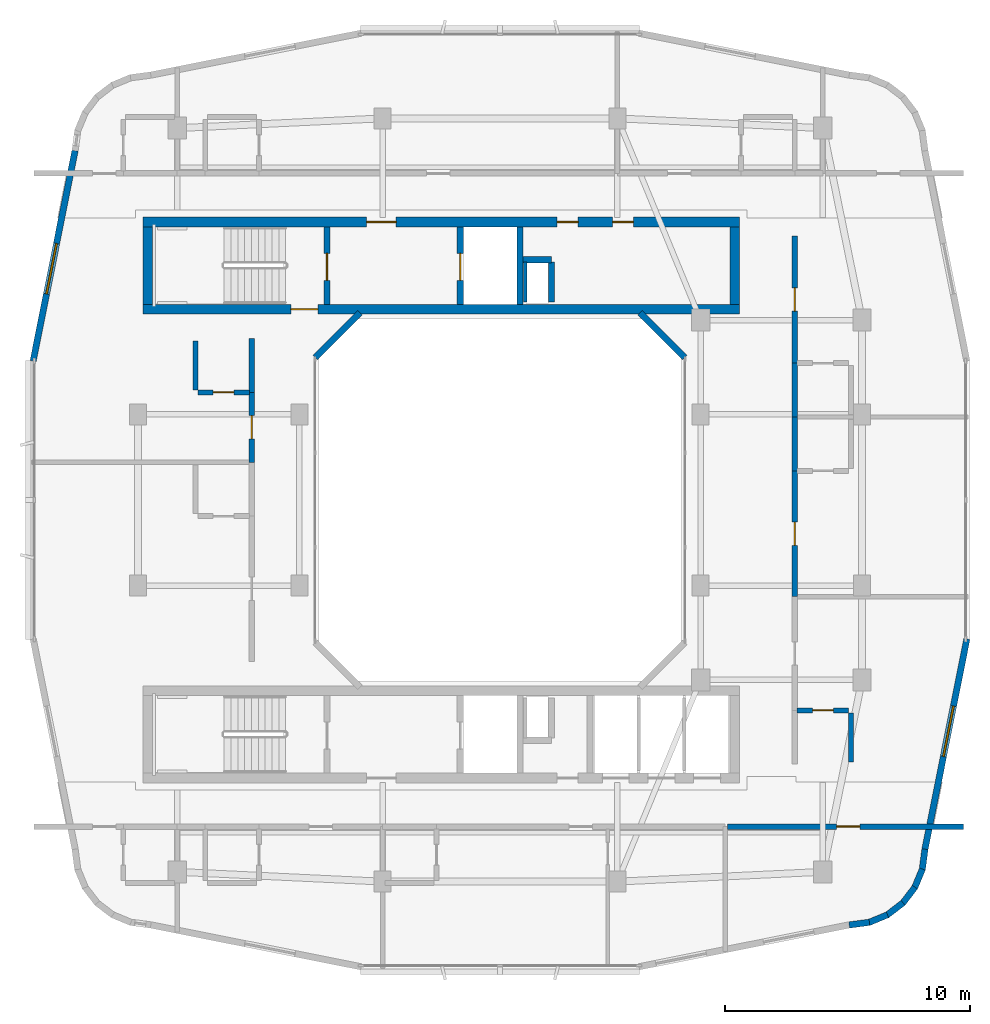
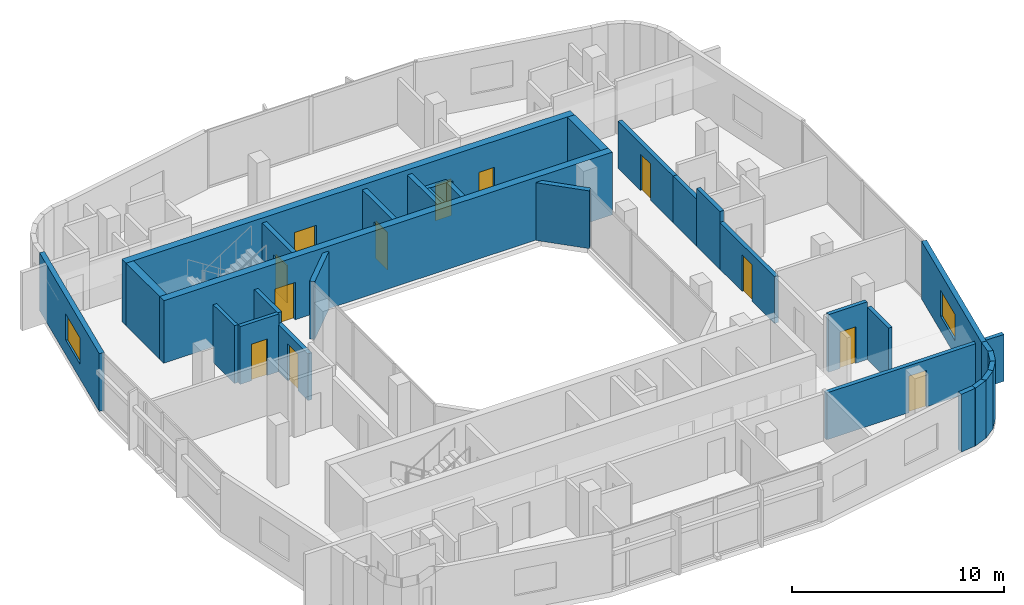
# One storey, part 8 of 14: 31 walls, 12 doors, 2 windows, 14 openings.
"""IFC4 building model written with IfcOpenShell, lengths in metres."""

from ifc_helpers import new_model, si_unit, derived_unit, direction, frame, frame_2d, origin, place, context, subcontext, project, spatial, rectangle, extrude, material, layer, layer_set, type_object, element, fill, save


model = new_model("IFC4")

# Units and contexts
model_context = context("Model", 3, precision=1e-05, world=origin(), true_north=direction((0.0, 1.0)))
body_context = subcontext(model_context, "Body", "Model", "MODEL_VIEW")
ifc_project = project(units=[si_unit("LENGTHUNIT", "METRE"), si_unit("AREAUNIT", "SQUARE_METRE"), si_unit("VOLUMEUNIT", "CUBIC_METRE"), si_unit("PLANEANGLEUNIT", "RADIAN"), si_unit("MASSUNIT", "GRAM", prefix="KILO"), derived_unit("THERMALTRANSMITTANCEUNIT", [(si_unit("POWERUNIT", "WATT"), 1), (si_unit("LENGTHUNIT", "METRE"), -2), (si_unit("THERMODYNAMICTEMPERATUREUNIT", "KELVIN"), -1)])], contexts=[model_context])

# Site, building, storey
site_placement = place(None, origin())
site = spatial("IfcSite", under=ifc_project, at=site_placement, CompositionType="ELEMENT")
building_placement = place(site_placement, origin())
building = spatial("IfcBuilding", under=site, at=building_placement, Name="Kivonza Crest Hotel", CompositionType="ELEMENT")
storey_placement = place(building_placement, frame((0.0, 0.0, 206.300048828125)))
storey = spatial("IfcBuildingStorey", under=building, at=storey_placement, Name="L56", CompositionType="ELEMENT", Elevation=206.300048828125)

# Wall, opening, door
ifc_material_1 = material(Name="Autoclaved aerated concrete blockwork", Category="masonry")
ifc_layer_1 = layer(ifc_material_1, 0.219970703125)
ifc_layer_set_1 = layer_set([ifc_layer_1], Name="Autoclaved aerated concrete blockwork")
wall_type_1 = type_object("IfcWallType", Name="WL-ACOU-220", PredefinedType="SOLIDWALL", material=ifc_layer_set_1)
wall_1_placement = place(storey_placement, frame((30.300048828125, 11.64990234375, 0.0), z_axis=(0.0, 0.0, 1.0), x_axis=(1.0, 0.0, 0.0)))
wall_1 = element("IfcWall", 1, at=wall_1_placement, inside=storey, type_object=wall_type_1, Name="L56 interior partition WA-L56-BUS-MTG-N", PredefinedType="SOLIDWALL", context=body_context, shape_type="SweptSolid", body=[
    extrude(rectangle(XDim=9.639892578125, YDim=0.219970703125, at=frame_2d((4.81982421875, 0.0))), origin(), (0.0, 0.0, 1.0), 2.695068359375),
])
opening_1_placement = place(wall_1_placement, frame((4.4609375, 0.0, 0.0)))
opening_1 = element("IfcOpeningElement", 2, at=opening_1_placement, cuts=wall_1, Name="Opening DF-60S", PredefinedType="OPENING", context=body_context, shape_type="SweptSolid", body=[
    extrude(rectangle(XDim=0.949951171875, YDim=2.10009765625, at=frame_2d((0.47509765625, 1.050048828125))), frame((0.0, 0.1201171875, 0.0), z_axis=(0.0, -1.0, 0.0), x_axis=(1.0, 0.0, 0.0)), (0.0, 0.0, 1.0), 0.239990234375),
])
ifc_material_2 = material(Name="Hardwood timber oak", Category="wood")
door_type_1 = type_object("IfcDoorType", Name="DR-FD60-950", OperationType="NOTDEFINED", PredefinedType="DOOR", material=ifc_material_2)
door_1_placement = place(opening_1_placement, frame((0.949951171875, 0.0, 0.0), z_axis=(0.0, 0.0, 1.0), x_axis=(-1.0, 0.0, 0.0)))
door_1 = element("IfcDoor", 3, at=door_1_placement, inside=storey, type_object=door_type_1, Name="L56 Residents Reading Room door", OperationType="SINGLE_SWING_RIGHT", OverallHeight=2.10009765625, OverallWidth=0.949951171875, PredefinedType="DOOR", context=body_context, shape_type="SweptSolid", body=[
    extrude(rectangle(XDim=0.949951171875, YDim=2.10009765625, at=frame_2d((0.47509765625, 1.050048828125))), frame((0.0, 0.02490234375, 0.0), z_axis=(0.0, -1.0, 0.0), x_axis=(1.0, 0.0, 0.0)), (0.0, 0.0, 1.0), 0.050048828125),
])
fill(opening_1, door_1)

# Wall
wall_2_placement = place(storey_placement, frame((10.85009765625, 29.39990234375, 0.0), z_axis=(0.0, 0.0, 1.0), x_axis=(0.0, 1.0, 0.0)))
element("IfcWall", 4, at=wall_2_placement, inside=storey, type_object=wall_type_1, Name="L56 interior partition WA-L56-W08-BCORR", PredefinedType="SOLIDWALL", context=body_context, shape_type="SweptSolid", body=[
    extrude(rectangle(XDim=2.2001953125, YDim=0.219970703125, at=frame_2d((1.10009765625, 0.0))), origin(), (0.0, 0.0, 1.0), 3.320068359375),
])

# Wall, opening, door
wall_3_placement = place(storey_placement, frame((10.85009765625, 26.5400390625, 0.0), z_axis=(0.0, 0.0, 1.0), x_axis=(0.0, 1.0, 0.0)))
wall_3 = element("IfcWall", 5, at=wall_3_placement, inside=storey, type_object=wall_type_1, Name="L56 interior partition WA-L56-W08-MCORR", PredefinedType="SOLIDWALL", context=body_context, shape_type="SweptSolid", body=[
    extrude(rectangle(XDim=2.85986328125, YDim=0.219970703125, at=frame_2d((1.429931640625, 0.0))), origin(), (0.0, 0.0, 1.0), 2.695068359375),
])
opening_2_placement = place(wall_3_placement, frame((0.955078125, 0.0, 0.0)))
opening_2 = element("IfcOpeningElement", 6, at=opening_2_placement, cuts=wall_3, Name="Opening DU-60", PredefinedType="OPENING", context=body_context, shape_type="SweptSolid", body=[
    extrude(rectangle(XDim=0.949951171875, YDim=2.10009765625, at=frame_2d((0.47509765625, 1.050048828125))), frame((0.0, 0.1201171875, 0.0), z_axis=(0.0, -1.0, 0.0), x_axis=(1.0, 0.0, 0.0)), (0.0, 0.0, 1.0), 0.239990234375),
])
door_type_2 = type_object("IfcDoorType", Name="DR-UNIT-950", OperationType="NOTDEFINED", PredefinedType="DOOR", material=ifc_material_2)
door_2_placement = place(opening_2_placement, origin())
door_2 = element("IfcDoor", 7, at=door_2_placement, inside=storey, type_object=door_type_2, Name="L56 W08 guest unit entrance fire door", OperationType="SINGLE_SWING_RIGHT", OverallHeight=2.10009765625, OverallWidth=0.949951171875, PredefinedType="DOOR", context=body_context, shape_type="SweptSolid", body=[
    extrude(rectangle(XDim=0.949951171875, YDim=2.10009765625, at=frame_2d((0.47509765625, 1.050048828125))), frame((0.0, 0.02490234375, 0.0), z_axis=(0.0, -1.0, 0.0), x_axis=(1.0, 0.0, 0.0)), (0.0, 0.0, 1.0), 0.050048828125),
])
fill(opening_2, door_2)

# Wall
wall_4_placement = place(storey_placement, frame((33.050048828125, 26.193115234375, 0.0), z_axis=(0.0, 0.0, 1.0), x_axis=(0.0, 1.0, 0.0)))
element("IfcWall", 8, at=wall_4_placement, inside=storey, type_object=wall_type_1, Name="L56 interior partition WA-L56-E10-BCORR", PredefinedType="SOLIDWALL", context=body_context, shape_type="SweptSolid", body=[
    extrude(rectangle(XDim=2.199951171875, YDim=0.219970703125, at=frame_2d((1.10009765625, 0.0))), origin(), (0.0, 0.0, 1.0), 3.320068359375),
])

# Wall, opening, door
wall_5_placement = place(storey_placement, frame((33.050048828125, 21.049072265625, 0.0), z_axis=(0.0, 0.0, 1.0), x_axis=(0.0, 1.0, 0.0)))
wall_5 = element("IfcWall", 9, at=wall_5_placement, inside=storey, type_object=wall_type_1, Name="L56 interior partition WA-L56-E10-MCORR", PredefinedType="SOLIDWALL", context=body_context, shape_type="SweptSolid", body=[
    extrude(rectangle(XDim=5.14404296875, YDim=0.219970703125, at=frame_2d((2.572021484375, 0.0))), origin(), (0.0, 0.0, 1.0), 2.695068359375),
])
opening_3_placement = place(wall_5_placement, frame((2.096923828125, 0.0, 0.0)))
opening_3 = element("IfcOpeningElement", 10, at=opening_3_placement, cuts=wall_5, Name="Opening DU-60", PredefinedType="OPENING", context=body_context, shape_type="SweptSolid", body=[
    extrude(rectangle(XDim=0.949951171875, YDim=2.10009765625, at=frame_2d((0.47509765625, 1.050048828125))), frame((0.0, 0.1201171875, 0.0), z_axis=(0.0, -1.0, 0.0), x_axis=(1.0, 0.0, 0.0)), (0.0, 0.0, 1.0), 0.239990234375),
])
door_3_placement = place(opening_3_placement, frame((0.949951171875, 0.0, 0.0), z_axis=(0.0, 0.0, 1.0), x_axis=(-1.0, 0.0, 0.0)))
door_3 = element("IfcDoor", 11, at=door_3_placement, inside=storey, type_object=door_type_2, Name="L56 E10 guest unit entrance fire door", OperationType="SINGLE_SWING_RIGHT", OverallHeight=2.10009765625, OverallWidth=0.949951171875, PredefinedType="DOOR", context=body_context, shape_type="SweptSolid", body=[
    extrude(rectangle(XDim=0.949951171875, YDim=2.10009765625, at=frame_2d((0.47509765625, 1.050048828125))), frame((0.0, 0.02490234375, 0.0), z_axis=(0.0, -1.0, 0.0), x_axis=(1.0, 0.0, 0.0)), (0.0, 0.0, 1.0), 0.050048828125),
])
fill(opening_3, door_3)

# Wall
wall_6_placement = place(storey_placement, frame((33.050048828125, 28.39306640625, 0.0), z_axis=(0.0, 0.0, 1.0), x_axis=(0.0, 1.0, 0.0)))
element("IfcWall", 12, at=wall_6_placement, inside=storey, type_object=wall_type_1, Name="L56 interior partition WA-L56-E11-BCORR", PredefinedType="SOLIDWALL", context=body_context, shape_type="SweptSolid", body=[
    extrude(rectangle(XDim=2.199951171875, YDim=0.219970703125, at=frame_2d((1.10009765625, 0.0))), origin(), (0.0, 0.0, 1.0), 2.695068359375),
])

# Wall, opening, door
wall_7_placement = place(storey_placement, frame((33.050048828125, 30.593017578125, 0.0), z_axis=(0.0, 0.0, 1.0), x_axis=(0.0, 1.0, 0.0)))
wall_7 = element("IfcWall", 13, at=wall_7_placement, inside=storey, type_object=wall_type_1, Name="L56 interior partition WA-L56-E11-MCORR", PredefinedType="SOLIDWALL", context=body_context, shape_type="SweptSolid", body=[
    extrude(rectangle(XDim=5.20703125, YDim=0.219970703125, at=frame_2d((2.603515625, 0.0))), origin(), (0.0, 0.0, 1.0), 2.695068359375),
])
opening_4_placement = place(wall_7_placement, frame((2.1279296875, 0.0, 0.0)))
opening_4 = element("IfcOpeningElement", 14, at=opening_4_placement, cuts=wall_7, Name="Opening DU-60", PredefinedType="OPENING", context=body_context, shape_type="SweptSolid", body=[
    extrude(rectangle(XDim=0.949951171875, YDim=2.10009765625, at=frame_2d((0.47509765625, 1.050048828125))), frame((0.0, 0.1201171875, 0.0), z_axis=(0.0, -1.0, 0.0), x_axis=(1.0, 0.0, 0.0)), (0.0, 0.0, 1.0), 0.239990234375),
])
door_4_placement = place(opening_4_placement, frame((0.949951171875, 0.0, 0.0), z_axis=(0.0, 0.0, 1.0), x_axis=(-1.0, 0.0, 0.0)))
door_4 = element("IfcDoor", 15, at=door_4_placement, inside=storey, type_object=door_type_2, Name="L56 E11 guest unit entrance fire door", OperationType="SINGLE_SWING_LEFT", OverallHeight=2.10009765625, OverallWidth=0.949951171875, PredefinedType="DOOR", context=body_context, shape_type="SweptSolid", body=[
    extrude(rectangle(XDim=0.949951171875, YDim=2.10009765625, at=frame_2d((0.47509765625, 1.050048828125))), frame((0.0, 0.02490234375, 0.0), z_axis=(0.0, -1.0, 0.0), x_axis=(1.0, 0.0, 0.0)), (0.0, 0.0, 1.0), 0.050048828125),
])
fill(opening_4, door_4)

ifc_material_3 = material(Name="Concrete C50/60", Category="concrete")
ifc_layer_2 = layer(ifc_material_3, 0.39990234375)
ifc_layer_set_2 = layer_set([ifc_layer_2], Name="Concrete C50/60")
wall_type_2 = type_object("IfcWallType", Name="WL-CORE-400", PredefinedType="SHEAR", material=ifc_layer_set_2)
wall_8_placement = place(storey_placement, frame((6.39990234375, 32.800048828125, 0.0), z_axis=(0.0, 0.0, 1.0), x_axis=(1.0, 0.0, 0.0)))
wall_8 = element("IfcWall", 16, at=wall_8_placement, inside=storey, type_object=wall_type_2, Name="Core wall T1-N South L56", PredefinedType="SHEAR", context=body_context, shape_type="SweptSolid", body=[
    extrude(rectangle(XDim=24.400146484375, YDim=0.39990234375, at=frame_2d((12.2001953125, 0.0))), origin(), (0.0, 0.0, 1.0), 3.599853515625),
])
opening_5_placement = place(wall_8_placement, frame((6.050048828125, 0.0, 0.0)))
opening_5 = element("IfcOpeningElement", 17, at=opening_5_placement, cuts=wall_8, Name="Opening DF-120", PredefinedType="OPENING", context=body_context, shape_type="SweptSolid", body=[
    extrude(rectangle(XDim=1.10009765625, YDim=2.14990234375, at=frame_2d((0.550048828125, 1.074951171875))), frame((0.0, 0.2099609375, 0.0), z_axis=(0.0, -1.0, 0.0), x_axis=(1.0, 0.0, 0.0)), (0.0, 0.0, 1.0), 0.419921875),
])
ifc_material_4 = material(Name="Galvanised steel", Category="steel")
door_type_3 = type_object("IfcDoorType", Name="DR-FD120-1100", OperationType="NOTDEFINED", PredefinedType="DOOR", material=ifc_material_4)
door_5_placement = place(opening_5_placement, origin())
door_5 = element("IfcDoor", 18, at=door_5_placement, inside=storey, type_object=door_type_3, Name="L56 West corridor stair access fire door", OperationType="SINGLE_SWING_LEFT", OverallHeight=2.14990234375, OverallWidth=1.10009765625, PredefinedType="DOOR", context=body_context, shape_type="SweptSolid", body=[
    extrude(rectangle(XDim=1.10009765625, YDim=2.14990234375, at=frame_2d((0.550048828125, 1.074951171875))), frame((0.0, 0.02490234375, 0.0), z_axis=(0.0, -1.0, 0.0), x_axis=(1.0, 0.0, 0.0)), (0.0, 0.0, 1.0), 0.050048828125),
])
fill(opening_5, door_5)

# Wall, openings, doors
wall_9_placement = place(storey_placement, frame((6.39990234375, 36.360107421875, 0.0), z_axis=(0.0, 0.0, 1.0), x_axis=(1.0, 0.0, 0.0)))
wall_9 = element("IfcWall", 19, at=wall_9_placement, inside=storey, type_object=wall_type_2, Name="Core wall T1-N North L56", PredefinedType="SHEAR", context=body_context, shape_type="SweptSolid", body=[
    extrude(rectangle(XDim=24.400146484375, YDim=0.39990234375, at=frame_2d((12.2001953125, 0.0))), origin(), (0.0, 0.0, 1.0), 3.599853515625),
])
opening_6_placement = place(wall_9_placement, frame((9.14990234375, 0.0, 0.0)))
opening_6 = element("IfcOpeningElement", 20, at=opening_6_placement, cuts=wall_9, Name="Opening DF-60", PredefinedType="OPENING", context=body_context, shape_type="SweptSolid", body=[
    extrude(rectangle(XDim=1.199951171875, YDim=2.14990234375, at=frame_2d((0.60009765625, 1.074951171875))), frame((0.0, 0.2099609375, 0.0), z_axis=(0.0, -1.0, 0.0), x_axis=(1.0, 0.0, 0.0)), (0.0, 0.0, 1.0), 0.419921875),
])
opening_7_placement = place(wall_9_placement, frame((19.199951171875, 0.0, 0.0)))
opening_7 = element("IfcOpeningElement", 21, at=opening_7_placement, cuts=wall_9, Name="Opening DF-60R", PredefinedType="OPENING", context=body_context, shape_type="SweptSolid", body=[
    extrude(rectangle(XDim=0.85009765625, YDim=2.10009765625, at=frame_2d((0.425048828125, 1.050048828125))), frame((0.0, 0.2099609375, 0.0), z_axis=(0.0, -1.0, 0.0), x_axis=(1.0, 0.0, 0.0)), (0.0, 0.0, 1.0), 0.419921875),
])
opening_8_placement = place(wall_9_placement, frame((16.93994140625, 0.0, 0.0)))
opening_8 = element("IfcOpeningElement", 22, at=opening_8_placement, cuts=wall_9, Name="Opening DF-60R", PredefinedType="OPENING", context=body_context, shape_type="SweptSolid", body=[
    extrude(rectangle(XDim=0.85009765625, YDim=2.10009765625, at=frame_2d((0.425048828125, 1.050048828125))), frame((0.0, 0.2099609375, 0.0), z_axis=(0.0, -1.0, 0.0), x_axis=(1.0, 0.0, 0.0)), (0.0, 0.0, 1.0), 0.419921875),
])
door_type_4 = type_object("IfcDoorType", Name="DR-FD60-1200", OperationType="NOTDEFINED", PredefinedType="DOOR", material=ifc_material_2)
door_6_placement = place(opening_6_placement, origin())
door_6 = element("IfcDoor", 23, at=door_6_placement, inside=storey, type_object=door_type_4, Name="L56 T1-N firefighting lobby fire door", OperationType="SINGLE_SWING_RIGHT", OverallHeight=2.14990234375, OverallWidth=1.199951171875, PredefinedType="DOOR", context=body_context, shape_type="SweptSolid", body=[
    extrude(rectangle(XDim=1.199951171875, YDim=2.14990234375, at=frame_2d((0.60009765625, 1.074951171875))), frame((0.0, 0.02490234375, 0.0), z_axis=(0.0, -1.0, 0.0), x_axis=(1.0, 0.0, 0.0)), (0.0, 0.0, 1.0), 0.050048828125),
])
fill(opening_6, door_6)
door_type_5 = type_object("IfcDoorType", Name="DR-FD60-850", OperationType="NOTDEFINED", PredefinedType="DOOR", material=ifc_material_2)
door_7_placement = place(opening_7_placement, origin())
door_7 = element("IfcDoor", 24, at=door_7_placement, inside=storey, type_object=door_type_5, Name="L56 T1-N reclaimed core service door", OperationType="SINGLE_SWING_LEFT", OverallHeight=2.10009765625, OverallWidth=0.85009765625, PredefinedType="DOOR", context=body_context, shape_type="SweptSolid", body=[
    extrude(rectangle(XDim=0.85009765625, YDim=2.10009765625, at=frame_2d((0.425048828125, 1.050048828125))), frame((0.0, 0.02490234375, 0.0), z_axis=(0.0, -1.0, 0.0), x_axis=(1.0, 0.0, 0.0)), (0.0, 0.0, 1.0), 0.050048828125),
])
fill(opening_7, door_7)
door_8_placement = place(opening_8_placement, origin())
door_8 = element("IfcDoor", 25, at=door_8_placement, inside=storey, type_object=door_type_5, Name="L56 T1-N core room door", OperationType="SINGLE_SWING_RIGHT", OverallHeight=2.10009765625, OverallWidth=0.85009765625, PredefinedType="DOOR", context=body_context, shape_type="SweptSolid", body=[
    extrude(rectangle(XDim=0.85009765625, YDim=2.10009765625, at=frame_2d((0.425048828125, 1.050048828125))), frame((0.0, 0.02490234375, 0.0), z_axis=(0.0, -1.0, 0.0), x_axis=(1.0, 0.0, 0.0)), (0.0, 0.0, 1.0), 0.050048828125),
])
fill(opening_8, door_8)

# Walls
for number, where, z_axis, x_axis, name in (
    (26, (6.60009765625, 33.0, 0.0), (0.0, 0.0, 1.0), (0.0, 1.0, 0.0), "Core wall T1-N West L56"),
    (27, (30.60009765625, 33.0, 0.0), (0.0, 0.0, 1.0), (0.0, 1.0, 0.0), "Core wall T1-N East L56"),
):
    element("IfcWall", number, at=place(storey_placement, frame(where, z_axis=z_axis, x_axis=x_axis)), inside=storey, type_object=wall_type_2, Name=name, PredefinedType="SHEAR", context=body_context, shape_type="SweptSolid", body=[
        extrude(rectangle(XDim=3.159912109375, YDim=0.39990234375, at=frame_2d((1.580078125, 0.0))), origin(), (0.0, 0.0, 1.0), 3.599853515625),
    ])
ifc_material_5 = material(Name="Precast concrete C40/50", Category="concrete")
ifc_layer_3 = layer(ifc_material_5, 0.260009765625)
ifc_layer_set_3 = layer_set([ifc_layer_3], Name="Precast concrete C40/50")
wall_type_3 = type_object("IfcWallType", Name="WL-EXT-260", PredefinedType="STANDARD", material=ifc_layer_set_3)
wall_10_placement = place(storey_placement, frame((35.27490234375, 7.6279296875, 0.0), z_axis=(0.0, 0.0, 1.0), x_axis=(0.9913883573, 0.130954667764, 0.0)))
element("IfcWall", 28, at=wall_10_placement, inside=storey, type_object=wall_type_3, Name="L56 T1 exterior insulated wall 10", PredefinedType="STANDARD", context=body_context, shape_type="SweptSolid", body=[
    extrude(rectangle(XDim=0.833251953125, YDim=0.260009765625, at=frame_2d((0.41650390625, 0.0))), origin(), (0.0, 0.0, 1.0), 3.320068359375),
])
wall_11_placement = place(storey_placement, frame((36.054931640625, 7.718994140625, 0.0), z_axis=(0.0, 0.0, 1.0), x_axis=(0.923754491172, 0.382985169477, 0.0)))
element("IfcWall", 29, at=wall_11_placement, inside=storey, type_object=wall_type_3, Name="L56 T1 exterior insulated wall 11", PredefinedType="STANDARD", context=body_context, shape_type="SweptSolid", body=[
    extrude(rectangle(XDim=0.85107421875, YDim=0.260009765625, at=frame_2d((0.425537109375, 0.0))), origin(), (0.0, 0.0, 1.0), 3.320068359375),
])
for number, where, z_axis, x_axis, name in (
    (30, (36.801025390625, 8.01708984375, 0.0), (0.0, 0.0, 1.0), (0.793999057278, 0.607918988881, 0.0), "L56 T1 exterior insulated wall 12"),
    (31, (37.445068359375, 8.49609375, 0.0), (0.0, 0.0, 1.0), (0.608057619941, 0.793892896323, 0.0), "L56 T1 exterior insulated wall 13"),
):
    element("IfcWall", number, at=place(storey_placement, frame(where, z_axis=z_axis, x_axis=x_axis)), inside=storey, type_object=wall_type_3, Name=name, PredefinedType="STANDARD", context=body_context, shape_type="SweptSolid", body=[
        extrude(rectangle(XDim=0.85009765625, YDim=0.260009765625, at=frame_2d((0.425048828125, 0.0))), origin(), (0.0, 0.0, 1.0), 3.320068359375),
    ])
wall_12_placement = place(storey_placement, frame((37.94091796875, 9.126953125, 0.0), z_axis=(0.0, 0.0, 1.0), x_axis=(0.383229930484, 0.923652976167, 0.0)))
element("IfcWall", 32, at=wall_12_placement, inside=storey, type_object=wall_type_3, Name="L56 T1 exterior insulated wall 14", PredefinedType="STANDARD", context=body_context, shape_type="SweptSolid", body=[
    extrude(rectangle(XDim=0.85107421875, YDim=0.260009765625, at=frame_2d((0.425537109375, 0.0))), origin(), (0.0, 0.0, 1.0), 3.320068359375),
])
wall_13_placement = place(storey_placement, frame((38.259033203125, 9.864013671875, 0.0), z_axis=(0.0, 0.0, 1.0), x_axis=(0.130156359936, 0.991493480548, 0.0)))
element("IfcWall", 33, at=wall_13_placement, inside=storey, type_object=wall_type_3, Name="L56 T1 exterior insulated wall 15", PredefinedType="STANDARD", context=body_context, shape_type="SweptSolid", body=[
    extrude(rectangle(XDim=0.868408203125, YDim=0.260009765625, at=frame_2d((0.43408203125, 0.0))), origin(), (0.0, 0.0, 1.0), 3.320068359375),
])

# Wall, opening, window
wall_14_placement = place(storey_placement, frame((38.37109375, 10.717041015625, 0.0), z_axis=(0.0, 0.0, 1.0), x_axis=(0.195291715883, 0.980745199176, 0.0)))
wall_14 = element("IfcWall", 34, at=wall_14_placement, inside=storey, type_object=wall_type_3, Name="L56 T1 exterior insulated wall 16", PredefinedType="STANDARD", context=body_context, shape_type="SweptSolid", body=[
    extrude(rectangle(XDim=8.77099609375, YDim=0.260009765625, at=frame_2d((4.385498046875, 0.0))), origin(), (0.0, 0.0, 1.0), 3.320068359375),
])
opening_9_placement = place(wall_14_placement, frame((3.873046875, 0.0, 0.85009765625)))
opening_9 = element("IfcOpeningElement", 35, at=opening_9_placement, cuts=wall_14, Name="Opening WN-04", PredefinedType="OPENING", context=body_context, shape_type="SweptSolid", body=[
    extrude(rectangle(XDim=2.10009765625, YDim=1.5, at=frame_2d((1.050048828125, 0.75))), frame((0.0, 0.14013671875, 0.0), z_axis=(0.0, -1.0, 0.0), x_axis=(1.0, 0.0, 0.0)), (0.0, 0.0, 1.0), 0.280029296875),
])
ifc_material_6 = material(Name="Thermally broken bronze aluminium and low-E double glazing", Category="aluminium")
window_type = type_object("IfcWindowType", Name="WN-210x150", PartitioningType="DOUBLE_PANEL_VERTICAL", PredefinedType="WINDOW", material=ifc_material_6)
window_1_placement = place(opening_9_placement, origin())
window_1 = element("IfcWindow", 36, at=window_1_placement, inside=storey, type_object=window_type, Name="L56 T1 facade window 16", OverallHeight=1.5, OverallWidth=2.10009765625, PartitioningType="SINGLE_PANEL", PredefinedType="WINDOW", context=body_context, shape_type="SweptSolid", body=[
    extrude(rectangle(XDim=2.10009765625, YDim=1.5, at=frame_2d((1.050048828125, 0.75))), frame((0.0, 0.030029296875, 0.0), z_axis=(0.0, -1.0, 0.0), x_axis=(1.0, 0.0, 0.0)), (0.0, 0.0, 1.0), 0.06005859375),
])
fill(opening_9, window_1)

wall_15_placement = place(storey_placement, frame((3.62890625, 39.282958984375, 0.0), z_axis=(0.0, 0.0, 1.0), x_axis=(-0.195291715883, -0.980745199176, 0.0)))
wall_15 = element("IfcWall", 37, at=wall_15_placement, inside=storey, type_object=wall_type_3, Name="L56 T1 exterior insulated wall 34", PredefinedType="STANDARD", context=body_context, shape_type="SweptSolid", body=[
    extrude(rectangle(XDim=8.77099609375, YDim=0.260009765625, at=frame_2d((4.385498046875, 0.0))), origin(), (0.0, 0.0, 1.0), 3.320068359375),
])
opening_10_placement = place(wall_15_placement, frame((3.873046875, 0.0, 0.85009765625)))
opening_10 = element("IfcOpeningElement", 38, at=opening_10_placement, cuts=wall_15, Name="Opening WN-04", PredefinedType="OPENING", context=body_context, shape_type="SweptSolid", body=[
    extrude(rectangle(XDim=2.10009765625, YDim=1.5, at=frame_2d((1.050048828125, 0.75))), frame((0.0, 0.14013671875, 0.0), z_axis=(0.0, -1.0, 0.0), x_axis=(1.0, 0.0, 0.0)), (0.0, 0.0, 1.0), 0.280029296875),
])
window_2_placement = place(opening_10_placement, origin())
window_2 = element("IfcWindow", 39, at=window_2_placement, inside=storey, type_object=window_type, Name="L56 T1 facade window 34", OverallHeight=1.5, OverallWidth=2.10009765625, PartitioningType="SINGLE_PANEL", PredefinedType="WINDOW", context=body_context, shape_type="SweptSolid", body=[
    extrude(rectangle(XDim=2.10009765625, YDim=1.5, at=frame_2d((1.050048828125, 0.75))), frame((0.0, 0.030029296875, 0.0), z_axis=(0.0, -1.0, 0.0), x_axis=(1.0, 0.0, 0.0)), (0.0, 0.0, 1.0), 0.06005859375),
])
fill(opening_10, window_2)

# Walls
for number, where, z_axis, x_axis, name in (
    (40, (28.555908203125, 30.827880859375, 0.0), (0.0, 0.0, 1.0), (-0.707059717605, 0.707153841636, 0.0), "L56 T1 light-well exterior wall 4"),
    (41, (15.278076171875, 32.662109375, 0.0), (0.0, 0.0, 1.0), (-0.707059717605, -0.707153841636, 0.0), "L56 T1 light-well exterior wall 6"),
):
    element("IfcWall", number, at=place(storey_placement, frame(where, z_axis=z_axis, x_axis=x_axis)), inside=storey, type_object=wall_type_3, Name=name, PredefinedType="STANDARD", context=body_context, shape_type="SweptSolid", body=[
        extrude(rectangle(XDim=2.59375, YDim=0.260009765625, at=frame_2d((1.296875, 0.0))), origin(), (0.0, 0.0, 1.0), 3.320068359375),
    ])
ifc_material_7 = material(Name="Concrete blockwork fire-compartment wall", Category="masonry")
ifc_layer_4 = layer(ifc_material_7, 0.25)
ifc_layer_set_4 = layer_set([ifc_layer_4], Name="Concrete blockwork fire-compartment wall")
wall_type_4 = type_object("IfcWallType", Name="WL-FIRE-250", PredefinedType="SOLIDWALL", material=ifc_layer_set_4)
wall_16_placement = place(storey_placement, frame((23.10009765625, 33.10009765625, 0.0), z_axis=(0.0, 0.0, 1.0), x_axis=(0.0, 1.0, 0.0)))
element("IfcWall", 42, at=wall_16_placement, inside=storey, type_object=wall_type_4, Name="L56 interior partition WA-L56-T1-N-MEPR-E", PredefinedType="SOLIDWALL", context=body_context, shape_type="SweptSolid", body=[
    extrude(rectangle(XDim=1.619873046875, YDim=0.25, at=frame_2d((0.81005859375, 0.0))), origin(), (0.0, 0.0, 1.0), 3.320068359375),
])
wall_17_placement = place(storey_placement, frame((21.949951171875, 34.820068359375, 0.0), z_axis=(0.0, 0.0, 1.0), x_axis=(1.0, 0.0, 0.0)))
element("IfcWall", 43, at=wall_17_placement, inside=storey, type_object=wall_type_4, Name="L56 interior partition WA-L56-T1-N-MEPR-H", PredefinedType="SOLIDWALL", context=body_context, shape_type="SweptSolid", body=[
    extrude(rectangle(XDim=1.150146484375, YDim=0.25, at=frame_2d((0.5751953125, 0.0))), origin(), (0.0, 0.0, 1.0), 3.320068359375),
])
ifc_material_8 = material(Name="Twin-stud acoustic gypsum board partition", Category="gypsum")
ifc_layer_5 = layer(ifc_material_8, 0.14990234375)
ifc_layer_set_5 = layer_set([ifc_layer_5], Name="Twin-stud acoustic gypsum board partition")
wall_type_5 = type_object("IfcWallType", Name="WL-PART-150", PredefinedType="PARTITIONING", material=ifc_layer_set_5)
wall_18_placement = place(storey_placement, frame((22.030029296875, 33.10009765625, 0.0), z_axis=(0.0, 0.0, 1.0), x_axis=(0.0, 1.0, 0.0)))
element("IfcWall", 44, at=wall_18_placement, inside=storey, type_object=wall_type_5, Name="L56 interior partition WA-L56-T1-N-MEPR-W", PredefinedType="PARTITIONING", context=body_context, shape_type="SweptSolid", body=[
    extrude(rectangle(XDim=1.619873046875, YDim=0.14990234375, at=frame_2d((0.81005859375, 0.0))), origin(), (0.0, 0.0, 1.0), 3.320068359375),
])

# Wall, opening, door
ifc_material_9 = material(Name="Moisture-resistant plumbing chase partition wall", Category="gypsum")
ifc_layer_6 = layer(ifc_material_9, 0.199951171875)
ifc_layer_set_6 = layer_set([ifc_layer_6], Name="Moisture-resistant plumbing chase partition wall")
wall_type_6 = type_object("IfcWallType", Name="WL-PLUMB-200", PredefinedType="PLUMBINGWALL", material=ifc_layer_set_6)
wall_19_placement = place(storey_placement, frame((8.64990234375, 29.39990234375, 0.0), z_axis=(0.0, 0.0, 1.0), x_axis=(1.0, 0.0, 0.0)))
wall_19 = element("IfcWall", 45, at=wall_19_placement, inside=storey, type_object=wall_type_6, Name="L56 interior partition WW-L56-W08-BH", PredefinedType="PLUMBINGWALL", context=body_context, shape_type="SweptSolid", body=[
    extrude(rectangle(XDim=2.10009765625, YDim=0.199951171875, at=frame_2d((1.050048828125, 0.0))), origin(), (0.0, 0.0, 1.0), 3.320068359375),
])
opening_11_placement = place(wall_19_placement, frame((0.625, 0.0, 0.0)))
opening_11 = element("IfcOpeningElement", 46, at=opening_11_placement, cuts=wall_19, Name="Opening DI-85", PredefinedType="OPENING", context=body_context, shape_type="SweptSolid", body=[
    extrude(rectangle(XDim=0.85009765625, YDim=2.10009765625, at=frame_2d((0.425048828125, 1.050048828125))), frame((0.0, 0.10986328125, 0.0), z_axis=(0.0, -1.0, 0.0), x_axis=(1.0, 0.0, 0.0)), (0.0, 0.0, 1.0), 0.219970703125),
])
door_type_6 = type_object("IfcDoorType", Name="DR-INT-850", OperationType="NOTDEFINED", PredefinedType="DOOR", material=ifc_material_2)
door_9_placement = place(opening_11_placement, frame((0.85009765625, 0.0, 0.0), z_axis=(0.0, 0.0, 1.0), x_axis=(-1.0, 0.0, 0.0)))
door_9 = element("IfcDoor", 47, at=door_9_placement, inside=storey, type_object=door_type_6, Name="L56 W08 en-suite bathroom door", OperationType="SINGLE_SWING_LEFT", OverallHeight=2.10009765625, OverallWidth=0.85009765625, PredefinedType="DOOR", context=body_context, shape_type="SweptSolid", body=[
    extrude(rectangle(XDim=0.85009765625, YDim=2.10009765625, at=frame_2d((0.425048828125, 1.050048828125))), frame((0.0, 0.02490234375, 0.0), z_axis=(0.0, -1.0, 0.0), x_axis=(1.0, 0.0, 0.0)), (0.0, 0.0, 1.0), 0.050048828125),
])
fill(opening_11, door_9)

# Wall
wall_20_placement = place(storey_placement, frame((8.550048828125, 29.5, 0.0), z_axis=(0.0, 0.0, 1.0), x_axis=(0.0, 1.0, 0.0)))
element("IfcWall", 48, at=wall_20_placement, inside=storey, type_object=wall_type_6, Name="L56 interior partition WW-L56-W08-BV", PredefinedType="PLUMBINGWALL", context=body_context, shape_type="SweptSolid", body=[
    extrude(rectangle(XDim=2.0, YDim=0.199951171875, at=frame_2d((1.0, 0.0))), origin(), (0.0, 0.0, 1.0), 3.320068359375),
])

# Wall, opening, door
wall_21_placement = place(storey_placement, frame((33.14990234375, 16.39990234375, 0.0), z_axis=(0.0, 0.0, 1.0), x_axis=(1.0, 0.0, 0.0)))
wall_21 = element("IfcWall", 49, at=wall_21_placement, inside=storey, type_object=wall_type_6, Name="L56 interior partition WW-L56-E09-BH", PredefinedType="PLUMBINGWALL", context=body_context, shape_type="SweptSolid", body=[
    extrude(rectangle(XDim=2.10009765625, YDim=0.199951171875, at=frame_2d((1.050048828125, 0.0))), origin(), (0.0, 0.0, 1.0), 3.320068359375),
])
opening_12_placement = place(wall_21_placement, frame((0.625, 0.0, 0.0)))
opening_12 = element("IfcOpeningElement", 50, at=opening_12_placement, cuts=wall_21, Name="Opening DI-85", PredefinedType="OPENING", context=body_context, shape_type="SweptSolid", body=[
    extrude(rectangle(XDim=0.85009765625, YDim=2.10009765625, at=frame_2d((0.425048828125, 1.050048828125))), frame((0.0, 0.10986328125, 0.0), z_axis=(0.0, -1.0, 0.0), x_axis=(1.0, 0.0, 0.0)), (0.0, 0.0, 1.0), 0.219970703125),
])
door_10_placement = place(opening_12_placement, origin())
door_10 = element("IfcDoor", 51, at=door_10_placement, inside=storey, type_object=door_type_6, Name="L56 E09 en-suite bathroom door", OperationType="SINGLE_SWING_RIGHT", OverallHeight=2.10009765625, OverallWidth=0.85009765625, PredefinedType="DOOR", context=body_context, shape_type="SweptSolid", body=[
    extrude(rectangle(XDim=0.85009765625, YDim=2.10009765625, at=frame_2d((0.425048828125, 1.050048828125))), frame((0.0, 0.02490234375, 0.0), z_axis=(0.0, -1.0, 0.0), x_axis=(1.0, 0.0, 0.0)), (0.0, 0.0, 1.0), 0.050048828125),
])
fill(opening_12, door_10)

# Wall
wall_22_placement = place(storey_placement, frame((35.35009765625, 14.300048828125, 0.0), z_axis=(0.0, 0.0, 1.0), x_axis=(0.0, 1.0, 0.0)))
element("IfcWall", 52, at=wall_22_placement, inside=storey, type_object=wall_type_6, Name="L56 interior partition WW-L56-E09-BV", PredefinedType="PLUMBINGWALL", context=body_context, shape_type="SweptSolid", body=[
    extrude(rectangle(XDim=2.0, YDim=0.199951171875, at=frame_2d((1.0, 0.0))), origin(), (0.0, 0.0, 1.0), 3.014892578125),
])

# Wall, opening, door
ifc_layer_7 = layer(ifc_material_3, 0.25)
ifc_layer_set_7 = layer_set([ifc_layer_7], Name="Concrete C50/60")
wall_type_7 = type_object("IfcWallType", Name="WL-SHAFT-250", PredefinedType="STANDARD", material=ifc_layer_set_7)
wall_23_placement = place(storey_placement, frame((13.925048828125, 33.0, 0.0), z_axis=(0.0, 0.0, 1.0), x_axis=(0.0, 1.0, 0.0)))
wall_23 = element("IfcWall", 53, at=wall_23_placement, inside=storey, type_object=wall_type_7, Name="Core shaft wall T1-N STAIR L56", PredefinedType="STANDARD", context=body_context, shape_type="SweptSolid", body=[
    extrude(rectangle(XDim=3.159912109375, YDim=0.25, at=frame_2d((1.580078125, 0.0))), origin(), (0.0, 0.0, 1.0), 3.320068359375),
])
opening_13_placement = place(wall_23_placement, frame((0.97998046875, 0.0, 0.0)))
opening_13 = element("IfcOpeningElement", 54, at=opening_13_placement, cuts=wall_23, Name="Opening DF-120", PredefinedType="OPENING", context=body_context, shape_type="SweptSolid", body=[
    extrude(rectangle(XDim=1.10009765625, YDim=2.14990234375, at=frame_2d((0.550048828125, 1.074951171875))), frame((0.0, 0.135009765625, 0.0), z_axis=(0.0, -1.0, 0.0), x_axis=(1.0, 0.0, 0.0)), (0.0, 0.0, 1.0), 0.27001953125),
])
door_11_placement = place(opening_13_placement, frame((1.10009765625, 0.0, 0.0), z_axis=(0.0, 0.0, 1.0), x_axis=(-1.0, 0.0, 0.0)))
door_11 = element("IfcDoor", 55, at=door_11_placement, inside=storey, type_object=door_type_3, Name="L56 T1-N stair fire door", OperationType="SINGLE_SWING_LEFT", OverallHeight=2.14990234375, OverallWidth=1.10009765625, PredefinedType="DOOR", context=body_context, shape_type="SweptSolid", body=[
    extrude(rectangle(XDim=1.10009765625, YDim=2.14990234375, at=frame_2d((0.550048828125, 1.074951171875))), frame((0.0, 0.02490234375, 0.0), z_axis=(0.0, -1.0, 0.0), x_axis=(1.0, 0.0, 0.0)), (0.0, 0.0, 1.0), 0.050048828125),
])
fill(opening_13, door_11)

wall_24_placement = place(storey_placement, frame((19.375, 33.0, 0.0), z_axis=(0.0, 0.0, 1.0), x_axis=(0.0, 1.0, 0.0)))
wall_24 = element("IfcWall", 56, at=wall_24_placement, inside=storey, type_object=wall_type_7, Name="Core shaft wall T1-N FFL-W L56", PredefinedType="STANDARD", context=body_context, shape_type="SweptSolid", body=[
    extrude(rectangle(XDim=3.159912109375, YDim=0.25, at=frame_2d((1.580078125, 0.0))), origin(), (0.0, 0.0, 1.0), 3.320068359375),
])
opening_14_placement = place(wall_24_placement, frame((0.97998046875, 0.0, 0.0)))
opening_14 = element("IfcOpeningElement", 57, at=opening_14_placement, cuts=wall_24, Name="Opening LD-120", PredefinedType="OPENING", context=body_context, shape_type="SweptSolid", body=[
    extrude(rectangle(XDim=1.10009765625, YDim=2.14990234375, at=frame_2d((0.550048828125, 1.074951171875))), frame((0.0, 0.135009765625, 0.0), z_axis=(0.0, -1.0, 0.0), x_axis=(1.0, 0.0, 0.0)), (0.0, 0.0, 1.0), 0.27001953125),
])
ifc_material_10 = material(Name="Stainless steel", Category="steel")
door_type_7 = type_object("IfcDoorType", Name="DR-LD120-1100", OperationType="NOTDEFINED", PredefinedType="DOOR", material=ifc_material_10)
door_12_placement = place(opening_14_placement, origin())
door_12 = element("IfcDoor", 58, at=door_12_placement, inside=storey, type_object=door_type_7, Name="L56 FFL-T1-N firefighting lift sliding landing door", OperationType="DOUBLE_DOOR_SLIDING", OverallHeight=2.14990234375, OverallWidth=1.10009765625, PredefinedType="DOOR", context=body_context, shape_type="SweptSolid", body=[
    extrude(rectangle(XDim=1.10009765625, YDim=2.14990234375, at=frame_2d((0.550048828125, 1.074951171875))), frame((0.0, 0.02490234375, 0.0), z_axis=(0.0, -1.0, 0.0), x_axis=(1.0, 0.0, 0.0)), (0.0, 0.0, 1.0), 0.050048828125),
])
fill(opening_14, door_12)

# Wall
wall_25_placement = place(storey_placement, frame((21.824951171875, 33.0, 0.0), z_axis=(0.0, 0.0, 1.0), x_axis=(0.0, 1.0, 0.0)))
element("IfcWall", 59, at=wall_25_placement, inside=storey, type_object=wall_type_7, Name="Core shaft wall T1-N FFL-E L56", PredefinedType="STANDARD", context=body_context, shape_type="SweptSolid", body=[
    extrude(rectangle(XDim=3.159912109375, YDim=0.25, at=frame_2d((1.580078125, 0.0))), origin(), (0.0, 0.0, 1.0), 3.320068359375),
])

save(model, "model.ifc")
